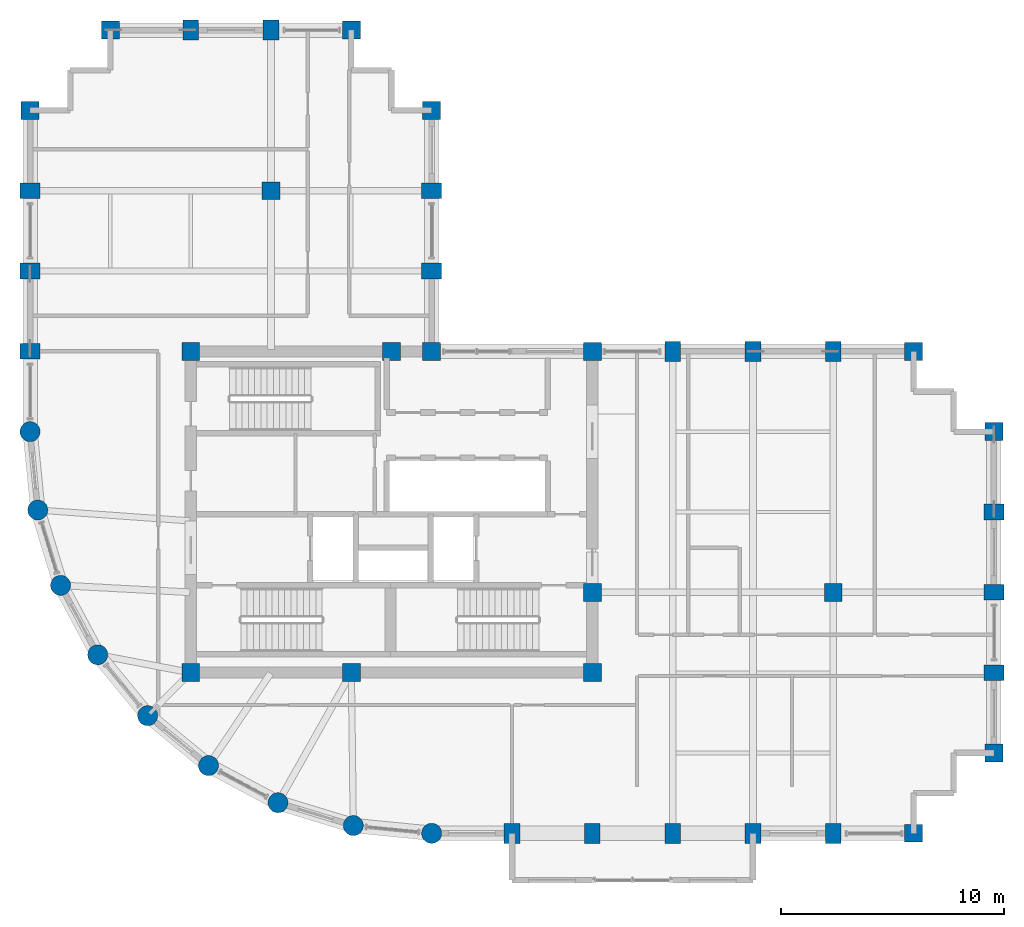
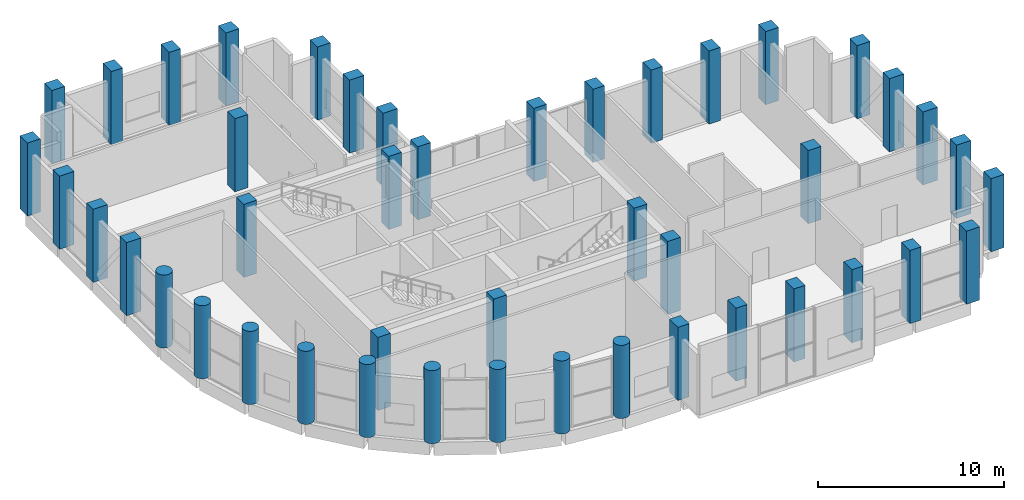
# One storey, part 1 of 16: 45 columns.
"""IFC4 building model written with IfcOpenShell, lengths in metres."""

from ifc_helpers import new_model, si_unit, direction, frame, origin, origin_2d, place, context, subcontext, project, spatial, rectangle, circle, extrude, material, material_profile, profile_set, type_object, element, save


model = new_model("IFC4")

# Units and contexts
model_context = context("Model", 3, precision=1e-05, world=origin(), true_north=direction((0.0, 1.0)))
body_context = subcontext(model_context, "Body", "Model", "MODEL_VIEW")
ifc_project = project(units=[si_unit("LENGTHUNIT", "METRE"), si_unit("AREAUNIT", "SQUARE_METRE"), si_unit("VOLUMEUNIT", "CUBIC_METRE"), si_unit("PLANEANGLEUNIT", "RADIAN"), si_unit("MASSUNIT", "GRAM", prefix="KILO")], contexts=[model_context])

# Site, building, storey
site_placement = place(None, origin())
site = spatial("IfcSite", under=ifc_project, at=site_placement, CompositionType="ELEMENT")
building_placement = place(site_placement, origin())
building = spatial("IfcBuilding", under=site, at=building_placement, Name="Solnavia Interchange Tower", CompositionType="ELEMENT")
storey_placement = place(building_placement, frame((0.0, 0.0, 209.0)))
storey = spatial("IfcBuildingStorey", under=building, at=storey_placement, Name="L52", CompositionType="ELEMENT", Elevation=209.0)

# Columns
ifc_material = material(Name="Concrete C50/60", Category="concrete")
ifc_material_profile_1 = material_profile(ifc_material, rectangle(XDim=0.800048828125, YDim=0.800048828125, at=origin_2d()), Name="RC 800x800")
ifc_profile_set_1 = profile_set([ifc_material_profile_1], Name="Concrete C50/60")
column_type_1 = type_object("IfcColumnType", Name="Col-RC-800x800", PredefinedType="COLUMN", material=ifc_profile_set_1)
for number, where, z_axis, x_axis, name in (
    (1, (7.199951171875, 36.0, 0.0), (0.0, 0.0, 1.0), (0.0, 1.0, 0.0), "COL-L52-05 Tower corner column"),
    (2, (10.800048828125, 39.60009765625, 0.0), (0.0, 0.0, 1.0), (1.0, 0.0, 0.0), "COL-L52-09 Tower corner column"),
    (3, (14.39990234375, 10.800048828125, 0.0), (0.0, 0.0, 1.0), (1.0, 0.0, 0.0), "COL-L52-11 Tower interior column"),
    (4, (14.39990234375, 25.199951171875, 0.0), (0.0, 0.0, 1.0), (1.0, 0.0, 0.0), "COL-L52-12 Tower interior column"),
    (5, (18.0, 32.39990234375, 0.0), (0.0, 0.0, 1.0), (1.0, 0.0, 0.0), "COL-L52-15 Tower interior column"),
    (6, (21.60009765625, 10.800048828125, 0.0), (0.0, 0.0, 1.0), (1.0, 0.0, 0.0), "COL-L52-18 Tower interior column"),
    (7, (21.60009765625, 39.60009765625, 0.0), (0.0, 0.0, 1.0), (1.0, 0.0, 0.0), "COL-L52-19 Tower corner column"),
    (8, (23.39990234375, 25.199951171875, 0.0), (0.0, 0.0, 1.0), (1.0, 0.0, 0.0), "COL-L52-21 Tower interior column"),
    (9, (25.199951171875, 25.199951171875, 0.0), (0.0, 0.0, 1.0), (1.0, 0.0, 0.0), "COL-L52-23 Tower interior column"),
    (10, (25.199951171875, 36.0, 0.0), (0.0, 0.0, 1.0), (0.0, 1.0, 0.0), "COL-L52-26 Tower corner column"),
    (11, (32.39990234375, 10.800048828125, 0.0), (0.0, 0.0, 1.0), (1.0, 0.0, 0.0), "COL-L52-29 Tower interior column"),
    (12, (32.39990234375, 14.39990234375, 0.0), (0.0, 0.0, 1.0), (1.0, 0.0, 0.0), "COL-L52-30 Tower interior column"),
    (13, (32.39990234375, 25.199951171875, 0.0), (0.0, 0.0, 1.0), (1.0, 0.0, 0.0), "COL-L52-31 Tower interior column"),
    (14, (43.199951171875, 14.39990234375, 0.0), (0.0, 0.0, 1.0), (1.0, 0.0, 0.0), "COL-L52-37 Tower interior column"),
    (15, (46.800048828125, 3.60009765625, 0.0), (0.0, 0.0, 1.0), (1.0, 0.0, 0.0), "COL-L52-39 Tower corner column"),
    (16, (46.800048828125, 25.199951171875, 0.0), (0.0, 0.0, 1.0), (1.0, 0.0, 0.0), "COL-L52-40 Tower corner column"),
    (17, (50.39990234375, 7.199951171875, 0.0), (0.0, 0.0, 1.0), (1.0, 0.0, 0.0), "COL-L52-41 Tower corner column"),
    (18, (50.39990234375, 21.60009765625, 0.0), (0.0, 0.0, 1.0), (0.0, 1.0, 0.0), "COL-L52-45 Tower corner column"),
):
    element("IfcColumn", number, at=place(storey_placement, frame(where, z_axis=z_axis, x_axis=x_axis)), inside=storey, type_object=column_type_1, Name=name, PredefinedType="COLUMN", context=body_context, shape_type="SweptSolid", body=[
        extrude(rectangle(XDim=0.800048828125, YDim=0.800048828125, at=origin_2d()), origin(), (0.0, 0.0, 1.0), 4.800048828125),
    ])
ifc_material_profile_2 = material_profile(ifc_material, rectangle(XDim=0.699951171875, YDim=0.89990234375, at=origin_2d()), Name="RC 900x700")
ifc_profile_set_2 = profile_set([ifc_material_profile_2], Name="Concrete C50/60")
column_type_2 = type_object("IfcColumnType", Name="Col-RC-900x700", PredefinedType="COLUMN", material=ifc_profile_set_2)
for number, where, z_axis, x_axis, name in (
    (19, (7.199951171875, 25.199951171875, 0.0), (0.0, 0.0, 1.0), (0.0, 1.0, 0.0), "COL-L52-02 Tower perim y column"),
    (20, (7.199951171875, 28.800048828125, 0.0), (0.0, 0.0, 1.0), (0.0, 1.0, 0.0), "COL-L52-03 Tower perim y column"),
    (21, (7.199951171875, 32.39990234375, 0.0), (0.0, 0.0, 1.0), (0.0, 1.0, 0.0), "COL-L52-04 Tower perim y column"),
    (22, (14.39990234375, 39.60009765625, 0.0), (0.0, 0.0, 1.0), (1.0, 0.0, 0.0), "COL-L52-13 Tower perim x column"),
    (23, (18.0, 39.60009765625, 0.0), (0.0, 0.0, 1.0), (1.0, 0.0, 0.0), "COL-L52-16 Tower perim x column"),
    (24, (25.199951171875, 28.800048828125, 0.0), (0.0, 0.0, 1.0), (0.0, 1.0, 0.0), "COL-L52-24 Tower perim y column"),
    (25, (25.199951171875, 32.39990234375, 0.0), (0.0, 0.0, 1.0), (0.0, 1.0, 0.0), "COL-L52-25 Tower perim y column"),
    (26, (28.800048828125, 3.60009765625, 0.0), (0.0, 0.0, 1.0), (1.0, 0.0, 0.0), "COL-L52-27 Tower perim x column"),
    (27, (32.39990234375, 3.60009765625, 0.0), (0.0, 0.0, 1.0), (1.0, 0.0, 0.0), "COL-L52-28 Tower perim x column"),
    (28, (36.0, 3.60009765625, 0.0), (0.0, 0.0, 1.0), (1.0, 0.0, 0.0), "COL-L52-32 Tower perim x column"),
    (29, (36.0, 25.199951171875, 0.0), (0.0, 0.0, 1.0), (1.0, 0.0, 0.0), "COL-L52-33 Tower perim x column"),
    (30, (39.60009765625, 3.60009765625, 0.0), (0.0, 0.0, 1.0), (1.0, 0.0, 0.0), "COL-L52-34 Tower perim x column"),
    (31, (39.60009765625, 25.199951171875, 0.0), (0.0, 0.0, 1.0), (1.0, 0.0, 0.0), "COL-L52-35 Tower perim x column"),
    (32, (43.199951171875, 3.60009765625, 0.0), (0.0, 0.0, 1.0), (1.0, 0.0, 0.0), "COL-L52-36 Tower perim x column"),
    (33, (43.199951171875, 25.199951171875, 0.0), (0.0, 0.0, 1.0), (1.0, 0.0, 0.0), "COL-L52-38 Tower perim x column"),
    (34, (50.39990234375, 10.800048828125, 0.0), (0.0, 0.0, 1.0), (0.0, 1.0, 0.0), "COL-L52-42 Tower perim y column"),
    (35, (50.39990234375, 14.39990234375, 0.0), (0.0, 0.0, 1.0), (0.0, 1.0, 0.0), "COL-L52-43 Tower perim y column"),
    (36, (50.39990234375, 18.0, 0.0), (0.0, 0.0, 1.0), (0.0, 1.0, 0.0), "COL-L52-44 Tower perim y column"),
):
    element("IfcColumn", number, at=place(storey_placement, frame(where, z_axis=z_axis, x_axis=x_axis)), inside=storey, type_object=column_type_2, Name=name, PredefinedType="COLUMN", context=body_context, shape_type="SweptSolid", body=[
        extrude(rectangle(XDim=0.699951171875, YDim=0.89990234375, at=origin_2d()), origin(), (0.0, 0.0, 1.0), 4.800048828125),
    ])
ifc_material_profile_3 = material_profile(ifc_material, circle(Radius=0.449951171875, at=origin_2d()), Name="RC D900")
ifc_profile_set_3 = profile_set([ifc_material_profile_3], Name="Concrete C50/60")
column_type_3 = type_object("IfcColumnType", Name="Col-RC-D900", PredefinedType="COLUMN", material=ifc_profile_set_3)
for number, where, z_axis, x_axis, name in (
    (37, (7.199951171875, 21.60009765625, 0.0), (0.0, 0.0, 1.0), (1.0, 0.0, 0.0), "COL-L52-01 Tower drum column"),
    (38, (7.5458984375, 18.087890625, 0.0), (0.0, 0.0, 1.0), (1.0, 0.0, 0.0), "COL-L52-06 Tower drum column"),
    (39, (8.570068359375, 14.7119140625, 0.0), (0.0, 0.0, 1.0), (1.0, 0.0, 0.0), "COL-L52-07 Tower drum column"),
    (40, (10.23388671875, 11.60009765625, 0.0), (0.0, 0.0, 1.0), (1.0, 0.0, 0.0), "COL-L52-08 Tower drum column"),
    (41, (12.471923828125, 8.8720703125, 0.0), (0.0, 0.0, 1.0), (1.0, 0.0, 0.0), "COL-L52-10 Tower drum column"),
    (42, (15.199951171875, 6.634033203125, 0.0), (0.0, 0.0, 1.0), (1.0, 0.0, 0.0), "COL-L52-14 Tower drum column"),
    (43, (18.31201171875, 4.969970703125, 0.0), (0.0, 0.0, 1.0), (1.0, 0.0, 0.0), "COL-L52-17 Tower drum column"),
    (44, (21.68798828125, 3.946044921875, 0.0), (0.0, 0.0, 1.0), (1.0, 0.0, 0.0), "COL-L52-20 Tower drum column"),
    (45, (25.199951171875, 3.60009765625, 0.0), (0.0, 0.0, 1.0), (1.0, 0.0, 0.0), "COL-L52-22 Tower drum column"),
):
    element("IfcColumn", number, at=place(storey_placement, frame(where, z_axis=z_axis, x_axis=x_axis)), inside=storey, type_object=column_type_3, Name=name, PredefinedType="COLUMN", context=body_context, shape_type="SweptSolid", body=[
        extrude(circle(Radius=0.449951171875, at=origin_2d()), origin(), (0.0, 0.0, 1.0), 4.800048828125),
    ])

save(model, "model.ifc")
